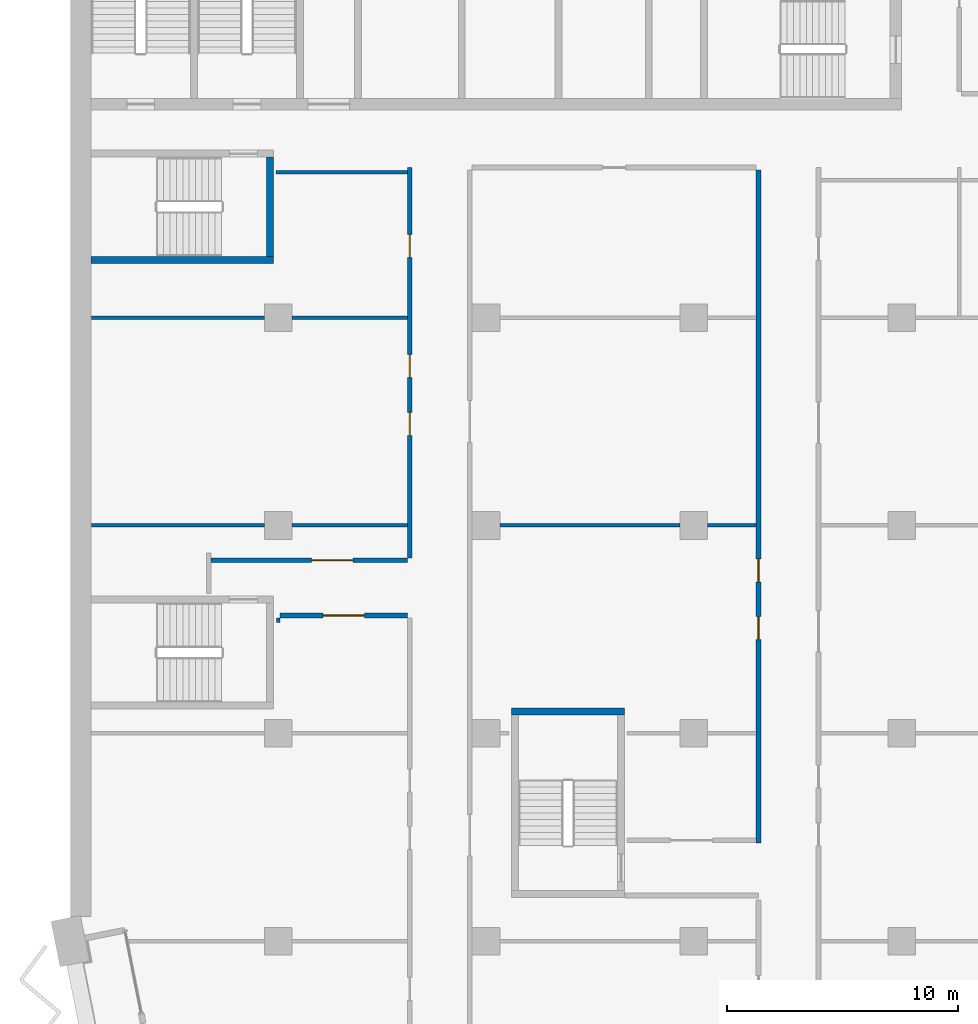
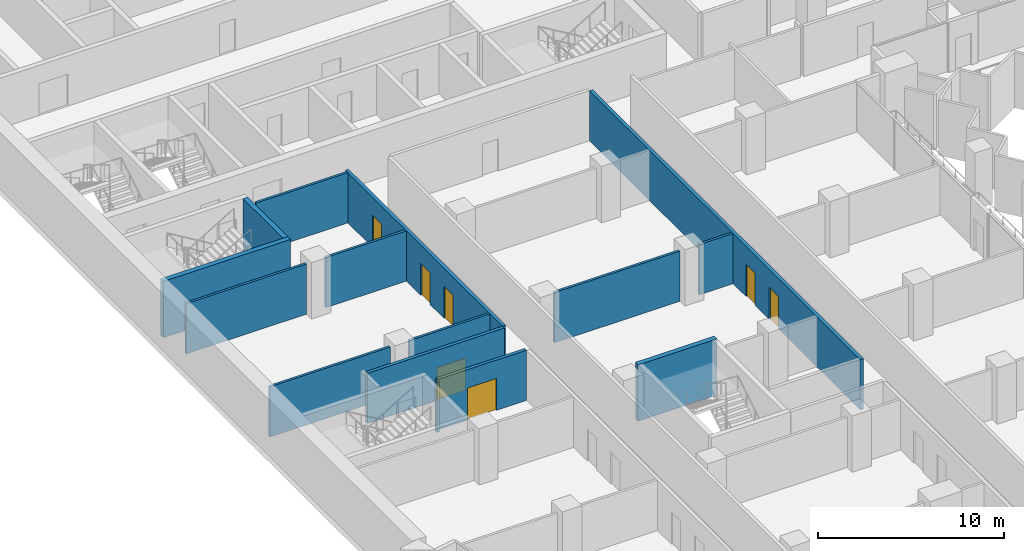
# One storey, part 10 of 22: 15 walls, 7 doors, 7 openings.
"""IFC4 building model written with IfcOpenShell, lengths in metres."""

from ifc_helpers import new_model, si_unit, direction, frame, frame_2d, origin, place, context, subcontext, project, spatial, rectangle, extrude, material, layer, layer_set, type_object, element, fill, save


model = new_model("IFC4")

# Units and contexts
model_context = context("Model", 3, precision=1e-05, world=origin(), true_north=direction((0.0, 1.0)))
body_context = subcontext(model_context, "Body", "Model", "MODEL_VIEW")
ifc_project = project(units=[si_unit("LENGTHUNIT", "METRE"), si_unit("AREAUNIT", "SQUARE_METRE"), si_unit("VOLUMEUNIT", "CUBIC_METRE"), si_unit("PLANEANGLEUNIT", "RADIAN"), si_unit("MASSUNIT", "GRAM", prefix="KILO")], contexts=[model_context])

# Site, building, storey
site_placement = place(None, origin())
site = spatial("IfcSite", under=ifc_project, at=site_placement, CompositionType="ELEMENT")
building_placement = place(site_placement, origin())
building = spatial("IfcBuilding", under=site, at=building_placement, Name="Hunhe Ridgeline Campus", CompositionType="ELEMENT")
storey_placement = place(building_placement, frame((0.0, 0.0, 163.39990234375)))
storey = spatial("IfcBuildingStorey", under=building, at=storey_placement, Name="L41", CompositionType="ELEMENT", Elevation=163.39990234375)

# Wall, opening, door
ifc_material_1 = material(Name="Gypsum board partition")
ifc_layer_1 = layer(ifc_material_1, 0.199951171875)
ifc_layer_set_1 = layer_set([ifc_layer_1], Name="Corridor partition 200 gypsum board on steel studs")
wall_type_1 = type_object("IfcWallType", Name="Corridor partition 200 gypsum board on steel studs", PredefinedType="PARTITIONING", material=ifc_layer_set_1)
wall_1_placement = place(storey_placement, frame((14.60009765625, 41.10009765625, 0.0), z_axis=(0.0, 0.0, 1.0), x_axis=(-1.0, 0.0, 0.0)))
wall_1 = element("IfcWall", 1, at=wall_1_placement, inside=storey, type_object=wall_type_1, Name="F-L41-wall-022", PredefinedType="PARTITIONING", context=body_context, shape_type="SweptSolid", body=[
    extrude(rectangle(XDim=5.525146484375, YDim=0.199951171875, at=frame_2d((2.7626953125, 0.0))), origin(), (0.0, 0.0, 1.0), 3.300048828125),
])
opening_1_placement = place(wall_1_placement, frame((1.862548828125, 0.0, 0.0)))
opening_1 = element("IfcOpeningElement", 2, at=opening_1_placement, cuts=wall_1, Name="Opening RD2-017", PredefinedType="OPENING", context=body_context, shape_type="SweptSolid", body=[
    extrude(rectangle(XDim=1.800048828125, YDim=2.10009765625, at=frame_2d((0.89990234375, 1.050048828125))), frame((0.0, 0.10009765625, 0.0), z_axis=(0.0, -1.0, 0.0), x_axis=(1.0, 0.0, 0.0)), (0.0, 0.0, 1.0), 0.199951171875),
])
ifc_material_2 = material(Name="Timber door leaf", Category="wood")
door_type_1 = type_object("IfcDoorType", Name="Double fire door 1800x2100 timber FD60", OperationType="DOUBLE_DOOR_SINGLE_SWING", PredefinedType="DOOR", material=ifc_material_2)
door_1_placement = place(opening_1_placement, origin())
door_1 = element("IfcDoor", 3, at=door_1_placement, inside=storey, type_object=door_type_1, Name="F-L41-door-017", OperationType="DOUBLE_DOOR_SINGLE_SWING", OverallHeight=2.10009765625, OverallWidth=1.800048828125, PredefinedType="DOOR", context=body_context, shape_type="SweptSolid", body=[
    extrude(rectangle(XDim=1.800048828125, YDim=2.10009765625, at=frame_2d((0.89990234375, 1.050048828125))), frame((0.0, 0.02490234375, 0.0), z_axis=(0.0, -1.0, 0.0), x_axis=(1.0, 0.0, 0.0)), (0.0, 0.0, 1.0), 0.050048828125),
])
fill(opening_1, door_1)

wall_2_placement = place(storey_placement, frame((6.10009765625, 43.5, 0.0), z_axis=(0.0, 0.0, 1.0), x_axis=(1.0, 0.0, 0.0)))
wall_2 = element("IfcWall", 4, at=wall_2_placement, inside=storey, type_object=wall_type_1, Name="F-L41-wall-023", PredefinedType="PARTITIONING", context=body_context, shape_type="SweptSolid", body=[
    extrude(rectangle(XDim=8.5, YDim=0.199951171875, at=frame_2d((4.25, 0.0))), origin(), (0.0, 0.0, 1.0), 3.300048828125),
])
opening_2_placement = place(wall_2_placement, frame((4.35009765625, 0.0, 0.0)))
opening_2 = element("IfcOpeningElement", 5, at=opening_2_placement, cuts=wall_2, Name="Opening RD2-019", PredefinedType="OPENING", context=body_context, shape_type="SweptSolid", body=[
    extrude(rectangle(XDim=1.800048828125, YDim=2.10009765625, at=frame_2d((0.89990234375, 1.050048828125))), frame((0.0, 0.10009765625, 0.0), z_axis=(0.0, -1.0, 0.0), x_axis=(1.0, 0.0, 0.0)), (0.0, 0.0, 1.0), 0.199951171875),
])
door_2_placement = place(opening_2_placement, origin())
door_2 = element("IfcDoor", 6, at=door_2_placement, inside=storey, type_object=door_type_1, Name="F-L41-door-019", OperationType="DOUBLE_DOOR_SINGLE_SWING", OverallHeight=2.10009765625, OverallWidth=1.800048828125, PredefinedType="DOOR", context=body_context, shape_type="SweptSolid", body=[
    extrude(rectangle(XDim=1.800048828125, YDim=2.10009765625, at=frame_2d((0.89990234375, 1.050048828125))), frame((0.0, 0.02490234375, 0.0), z_axis=(0.0, -1.0, 0.0), x_axis=(1.0, 0.0, 0.0)), (0.0, 0.0, 1.0), 0.050048828125),
])
fill(opening_2, door_2)

# Wall, openings, doors
wall_3_placement = place(storey_placement, frame((14.699951171875, 43.60009765625, 0.0), z_axis=(0.0, 0.0, 1.0), x_axis=(0.0, 1.0, 0.0)))
wall_3 = element("IfcWall", 7, at=wall_3_placement, inside=storey, type_object=wall_type_1, Name="F-L41-wall-058", PredefinedType="PARTITIONING", context=body_context, shape_type="SweptSolid", body=[
    extrude(rectangle(XDim=16.89990234375, YDim=0.199951171875, at=frame_2d((8.449951171875, 0.0))), origin(), (0.0, 0.0, 1.0), 3.300048828125),
])
opening_3_placement = place(wall_3_placement, frame((5.301513671875, 0.0, 0.0)))
opening_3 = element("IfcOpeningElement", 8, at=opening_3_placement, cuts=wall_3, Name="Opening RD1-020", PredefinedType="OPENING", context=body_context, shape_type="SweptSolid", body=[
    extrude(rectangle(XDim=1.0, YDim=2.10009765625, at=frame_2d((0.5, 1.050048828125))), frame((0.0, 0.10009765625, 0.0), z_axis=(0.0, -1.0, 0.0), x_axis=(1.0, 0.0, 0.0)), (0.0, 0.0, 1.0), 0.199951171875),
])
opening_4_placement = place(wall_3_placement, frame((7.801513671875, 0.0, 0.0)))
opening_4 = element("IfcOpeningElement", 9, at=opening_4_placement, cuts=wall_3, Name="Opening RD1-023", PredefinedType="OPENING", context=body_context, shape_type="SweptSolid", body=[
    extrude(rectangle(XDim=1.0, YDim=2.10009765625, at=frame_2d((0.5, 1.050048828125))), frame((0.0, 0.10009765625, 0.0), z_axis=(0.0, -1.0, 0.0), x_axis=(1.0, 0.0, 0.0)), (0.0, 0.0, 1.0), 0.199951171875),
])
opening_5_placement = place(wall_3_placement, frame((12.994873046875, 0.0, 0.0)))
opening_5 = element("IfcOpeningElement", 10, at=opening_5_placement, cuts=wall_3, Name="Opening RD1-025", PredefinedType="OPENING", context=body_context, shape_type="SweptSolid", body=[
    extrude(rectangle(XDim=1.0, YDim=2.10009765625, at=frame_2d((0.5, 1.050048828125))), frame((0.0, 0.10009765625, 0.0), z_axis=(0.0, -1.0, 0.0), x_axis=(1.0, 0.0, 0.0)), (0.0, 0.0, 1.0), 0.199951171875),
])
door_type_2 = type_object("IfcDoorType", Name="Single fire door 1000x2100 timber FD60", OperationType="NOTDEFINED", PredefinedType="DOOR", material=ifc_material_2)
door_3_placement = place(opening_3_placement, frame((1.0, 0.0, 0.0), z_axis=(0.0, 0.0, 1.0), x_axis=(-1.0, 0.0, 0.0)))
door_3 = element("IfcDoor", 11, at=door_3_placement, inside=storey, type_object=door_type_2, Name="F-L41-door-020", OperationType="SINGLE_SWING_LEFT", OverallHeight=2.10009765625, OverallWidth=1.0, PredefinedType="DOOR", context=body_context, shape_type="SweptSolid", body=[
    extrude(rectangle(XDim=1.0, YDim=2.10009765625, at=frame_2d((0.5, 1.050048828125))), frame((0.0, 0.02490234375, 0.0), z_axis=(0.0, -1.0, 0.0), x_axis=(1.0, 0.0, 0.0)), (0.0, 0.0, 1.0), 0.050048828125),
])
fill(opening_3, door_3)
door_4_placement = place(opening_4_placement, frame((1.0, 0.0, 0.0), z_axis=(0.0, 0.0, 1.0), x_axis=(-1.0, 0.0, 0.0)))
door_4 = element("IfcDoor", 12, at=door_4_placement, inside=storey, type_object=door_type_2, Name="F-L41-door-023", OperationType="SINGLE_SWING_LEFT", OverallHeight=2.10009765625, OverallWidth=1.0, PredefinedType="DOOR", context=body_context, shape_type="SweptSolid", body=[
    extrude(rectangle(XDim=1.0, YDim=2.10009765625, at=frame_2d((0.5, 1.050048828125))), frame((0.0, 0.02490234375, 0.0), z_axis=(0.0, -1.0, 0.0), x_axis=(1.0, 0.0, 0.0)), (0.0, 0.0, 1.0), 0.050048828125),
])
fill(opening_4, door_4)
door_5_placement = place(opening_5_placement, origin())
door_5 = element("IfcDoor", 13, at=door_5_placement, inside=storey, type_object=door_type_2, Name="F-L41-door-025", OperationType="SINGLE_SWING_LEFT", OverallHeight=2.10009765625, OverallWidth=1.0, PredefinedType="DOOR", context=body_context, shape_type="SweptSolid", body=[
    extrude(rectangle(XDim=1.0, YDim=2.10009765625, at=frame_2d((0.5, 1.050048828125))), frame((0.0, 0.02490234375, 0.0), z_axis=(0.0, -1.0, 0.0), x_axis=(1.0, 0.0, 0.0)), (0.0, 0.0, 1.0), 0.050048828125),
])
fill(opening_5, door_5)

wall_4_placement = place(storey_placement, frame((29.800048828125, 31.255859375, 0.0), z_axis=(0.0, 0.0, 1.0), x_axis=(0.0, 1.0, 0.0)))
wall_4 = element("IfcWall", 14, at=wall_4_placement, inside=storey, type_object=wall_type_1, Name="F-L41-wall-061", PredefinedType="PARTITIONING", context=body_context, shape_type="SweptSolid", body=[
    extrude(rectangle(XDim=29.14404296875, YDim=0.199951171875, at=frame_2d((14.572021484375, 0.0))), origin(), (0.0, 0.0, 1.0), 3.300048828125),
])
opening_6_placement = place(wall_4_placement, frame((8.7958984375, 0.0, 0.0)))
opening_6 = element("IfcOpeningElement", 15, at=opening_6_placement, cuts=wall_4, Name="Opening RD1-016", PredefinedType="OPENING", context=body_context, shape_type="SweptSolid", body=[
    extrude(rectangle(XDim=1.0, YDim=2.10009765625, at=frame_2d((0.5, 1.050048828125))), frame((0.0, 0.10009765625, 0.0), z_axis=(0.0, -1.0, 0.0), x_axis=(1.0, 0.0, 0.0)), (0.0, 0.0, 1.0), 0.199951171875),
])
opening_7_placement = place(wall_4_placement, frame((11.2958984375, 0.0, 0.0)))
opening_7 = element("IfcOpeningElement", 16, at=opening_7_placement, cuts=wall_4, Name="Opening RD1-018", PredefinedType="OPENING", context=body_context, shape_type="SweptSolid", body=[
    extrude(rectangle(XDim=1.0, YDim=2.10009765625, at=frame_2d((0.5, 1.050048828125))), frame((0.0, 0.10009765625, 0.0), z_axis=(0.0, -1.0, 0.0), x_axis=(1.0, 0.0, 0.0)), (0.0, 0.0, 1.0), 0.199951171875),
])
door_6_placement = place(opening_6_placement, frame((1.0, 0.0, 0.0), z_axis=(0.0, 0.0, 1.0), x_axis=(-1.0, 0.0, 0.0)))
door_6 = element("IfcDoor", 17, at=door_6_placement, inside=storey, type_object=door_type_2, Name="F-L41-door-016", OperationType="SINGLE_SWING_RIGHT", OverallHeight=2.10009765625, OverallWidth=1.0, PredefinedType="DOOR", context=body_context, shape_type="SweptSolid", body=[
    extrude(rectangle(XDim=1.0, YDim=2.10009765625, at=frame_2d((0.5, 1.050048828125))), frame((0.0, 0.02490234375, 0.0), z_axis=(0.0, -1.0, 0.0), x_axis=(1.0, 0.0, 0.0)), (0.0, 0.0, 1.0), 0.050048828125),
])
fill(opening_6, door_6)
door_7_placement = place(opening_7_placement, frame((1.0, 0.0, 0.0), z_axis=(0.0, 0.0, 1.0), x_axis=(-1.0, 0.0, 0.0)))
door_7 = element("IfcDoor", 18, at=door_7_placement, inside=storey, type_object=door_type_2, Name="F-L41-door-018", OperationType="SINGLE_SWING_LEFT", OverallHeight=2.10009765625, OverallWidth=1.0, PredefinedType="DOOR", context=body_context, shape_type="SweptSolid", body=[
    extrude(rectangle(XDim=1.0, YDim=2.10009765625, at=frame_2d((0.5, 1.050048828125))), frame((0.0, 0.02490234375, 0.0), z_axis=(0.0, -1.0, 0.0), x_axis=(1.0, 0.0, 0.0)), (0.0, 0.0, 1.0), 0.050048828125),
])
fill(opening_7, door_7)

# Walls
ifc_layer_2 = layer(ifc_material_1, 0.14990234375)
ifc_layer_set_2 = layer_set([ifc_layer_2], Name="Room partition 150 gypsum board on steel studs")
wall_type_2 = type_object("IfcWallType", Name="Room partition 150 gypsum board on steel studs", PredefinedType="PARTITIONING", material=ifc_layer_set_2)
wall_5_placement = place(storey_placement, frame((0.919921875, 45.0, 0.0), z_axis=(0.0, 0.0, 1.0), x_axis=(1.0, 0.0, 0.0)))
element("IfcWall", 19, at=wall_5_placement, inside=storey, type_object=wall_type_2, Name="F-L41-wall-024", PredefinedType="PARTITIONING", context=body_context, shape_type="SweptSolid", body=[
    extrude(rectangle(XDim=7.47998046875, YDim=0.14990234375, at=frame_2d((3.739990234375, 0.0))), origin(), (0.0, 0.0, 1.0), 3.300048828125),
])
wall_6_placement = place(storey_placement, frame((9.60009765625, 45.0, 0.0), z_axis=(0.0, 0.0, 1.0), x_axis=(1.0, 0.0, 0.0)))
element("IfcWall", 20, at=wall_6_placement, inside=storey, type_object=wall_type_2, Name="F-L41-wall-025", PredefinedType="PARTITIONING", context=body_context, shape_type="SweptSolid", body=[
    extrude(rectangle(XDim=5.0, YDim=0.14990234375, at=frame_2d((2.5, 0.0))), origin(), (0.0, 0.0, 1.0), 3.300048828125),
])
wall_7_placement = place(storey_placement, frame((18.60009765625, 45.0, 0.0), z_axis=(0.0, 0.0, 1.0), x_axis=(1.0, 0.0, 0.0)))
element("IfcWall", 21, at=wall_7_placement, inside=storey, type_object=wall_type_2, Name="F-L41-wall-026", PredefinedType="PARTITIONING", context=body_context, shape_type="SweptSolid", body=[
    extrude(rectangle(XDim=7.7998046875, YDim=0.14990234375, at=frame_2d((3.89990234375, 0.0))), origin(), (0.0, 0.0, 1.0), 3.300048828125),
])
wall_8_placement = place(storey_placement, frame((27.60009765625, 45.0, 0.0), z_axis=(0.0, 0.0, 1.0), x_axis=(1.0, 0.0, 0.0)))
element("IfcWall", 22, at=wall_8_placement, inside=storey, type_object=wall_type_2, Name="F-L41-wall-027", PredefinedType="PARTITIONING", context=body_context, shape_type="SweptSolid", body=[
    extrude(rectangle(XDim=2.099853515625, YDim=0.14990234375, at=frame_2d((1.0498046875, 0.0))), origin(), (0.0, 0.0, 1.0), 3.300048828125),
])
wall_9_placement = place(storey_placement, frame((0.919921875, 54.0, 0.0), z_axis=(0.0, 0.0, 1.0), x_axis=(1.0, 0.0, 0.0)))
element("IfcWall", 23, at=wall_9_placement, inside=storey, type_object=wall_type_2, Name="F-L41-wall-030", PredefinedType="PARTITIONING", context=body_context, shape_type="SweptSolid", body=[
    extrude(rectangle(XDim=7.47998046875, YDim=0.14990234375, at=frame_2d((3.739990234375, 0.0))), origin(), (0.0, 0.0, 1.0), 3.300048828125),
])
wall_10_placement = place(storey_placement, frame((9.60009765625, 54.0, 0.0), z_axis=(0.0, 0.0, 1.0), x_axis=(1.0, 0.0, 0.0)))
element("IfcWall", 24, at=wall_10_placement, inside=storey, type_object=wall_type_2, Name="F-L41-wall-031", PredefinedType="PARTITIONING", context=body_context, shape_type="SweptSolid", body=[
    extrude(rectangle(XDim=5.0, YDim=0.14990234375, at=frame_2d((2.5, 0.0))), origin(), (0.0, 0.0, 1.0), 3.300048828125),
])
wall_11_placement = place(storey_placement, frame((8.904052734375, 60.300048828125, 0.0), z_axis=(0.0, 0.0, 1.0), x_axis=(1.0, 0.0, 0.0)))
element("IfcWall", 25, at=wall_11_placement, inside=storey, type_object=wall_type_2, Name="F-L41-wall-040", PredefinedType="PARTITIONING", context=body_context, shape_type="SweptSolid", body=[
    extrude(rectangle(XDim=5.696044921875, YDim=0.14990234375, at=frame_2d((2.84814453125, 0.0))), origin(), (0.0, 0.0, 1.0), 3.300048828125),
])
wall_12_placement = place(storey_placement, frame((9.0, 41.0, 0.0), z_axis=(0.0, 0.0, 1.0), x_axis=(0.0, -1.0, 0.0)))
element("IfcWall", 26, at=wall_12_placement, inside=storey, type_object=wall_type_2, Name="F-L41-wall-056", PredefinedType="PARTITIONING", context=body_context, shape_type="SweptSolid", body=[
    extrude(rectangle(XDim=0.199951171875, YDim=0.14990234375, at=frame_2d((0.10009765625, 0.0))), origin(), (0.0, 0.0, 1.0), 3.300048828125),
])
ifc_material_3 = material(Name="Concrete C70", Category="concrete")
ifc_layer_3 = layer(ifc_material_3, 0.300048828125)
ifc_layer_set_3 = layer_set([ifc_layer_3], Name="Stair wall 300 reinforced concrete C70")
wall_type_3 = type_object("IfcWallType", Name="Stair wall 300 reinforced concrete C70", PredefinedType="SOLIDWALL", material=ifc_layer_set_3)
wall_13_placement = place(storey_placement, frame((19.10009765625, 36.949951171875, -0.39990234375), z_axis=(0.0, 0.0, 1.0), x_axis=(1.0, 0.0, 0.0)))
element("IfcWall", 27, at=wall_13_placement, inside=storey, type_object=wall_type_3, Name="L41 core wall 2", PredefinedType="SOLIDWALL", context=body_context, shape_type="SweptSolid", body=[
    extrude(rectangle(XDim=4.89990234375, YDim=0.300048828125, at=frame_2d((2.449951171875, 0.0))), origin(), (0.0, 0.0, 1.0), 3.699951171875),
])
wall_14_placement = place(storey_placement, frame((0.89990234375, 56.5, -0.39990234375), z_axis=(0.0, 0.0, 1.0), x_axis=(1.0, 0.0, 0.0)))
element("IfcWall", 28, at=wall_14_placement, inside=storey, type_object=wall_type_3, Name="L41 core wall 5", PredefinedType="SOLIDWALL", context=body_context, shape_type="SweptSolid", body=[
    extrude(rectangle(XDim=7.900146484375, YDim=0.300048828125, at=frame_2d((3.9501953125, 0.0))), origin(), (0.0, 0.0, 1.0), 3.699951171875),
])
wall_15_placement = place(storey_placement, frame((8.64990234375, 56.64990234375, -0.39990234375), z_axis=(0.0, 0.0, 1.0), x_axis=(0.0, 1.0, 0.0)))
element("IfcWall", 29, at=wall_15_placement, inside=storey, type_object=wall_type_3, Name="L41 core wall 37", PredefinedType="SOLIDWALL", context=body_context, shape_type="SweptSolid", body=[
    extrude(rectangle(XDim=4.300048828125, YDim=0.300048828125, at=frame_2d((2.14990234375, 0.0))), origin(), (0.0, 0.0, 1.0), 3.699951171875),
])

save(model, "model.ifc")
